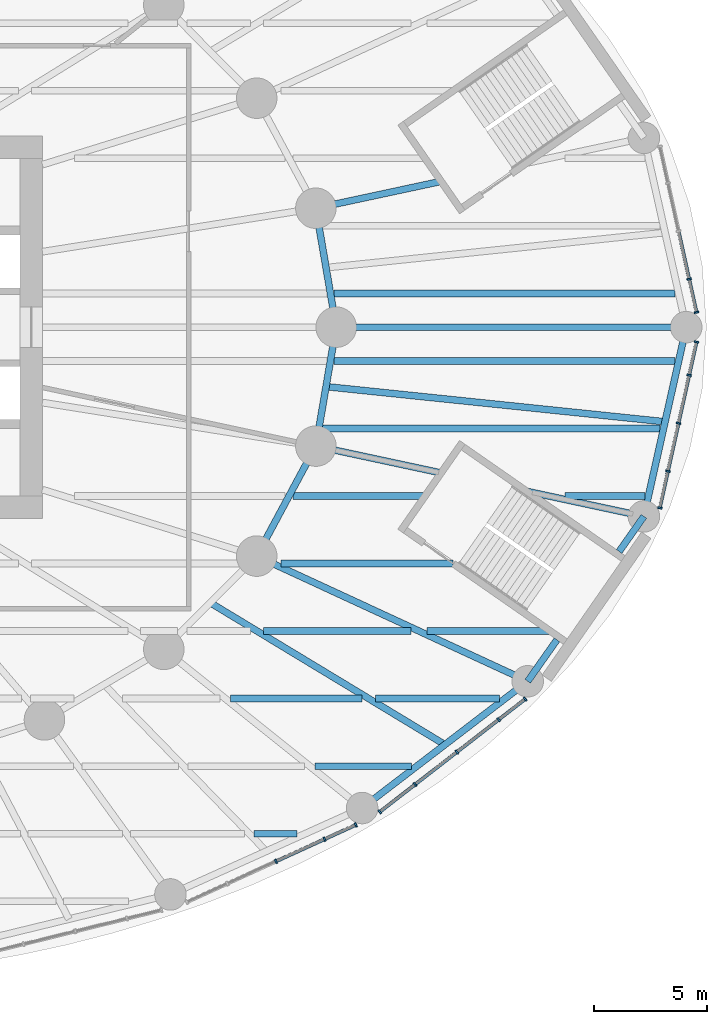
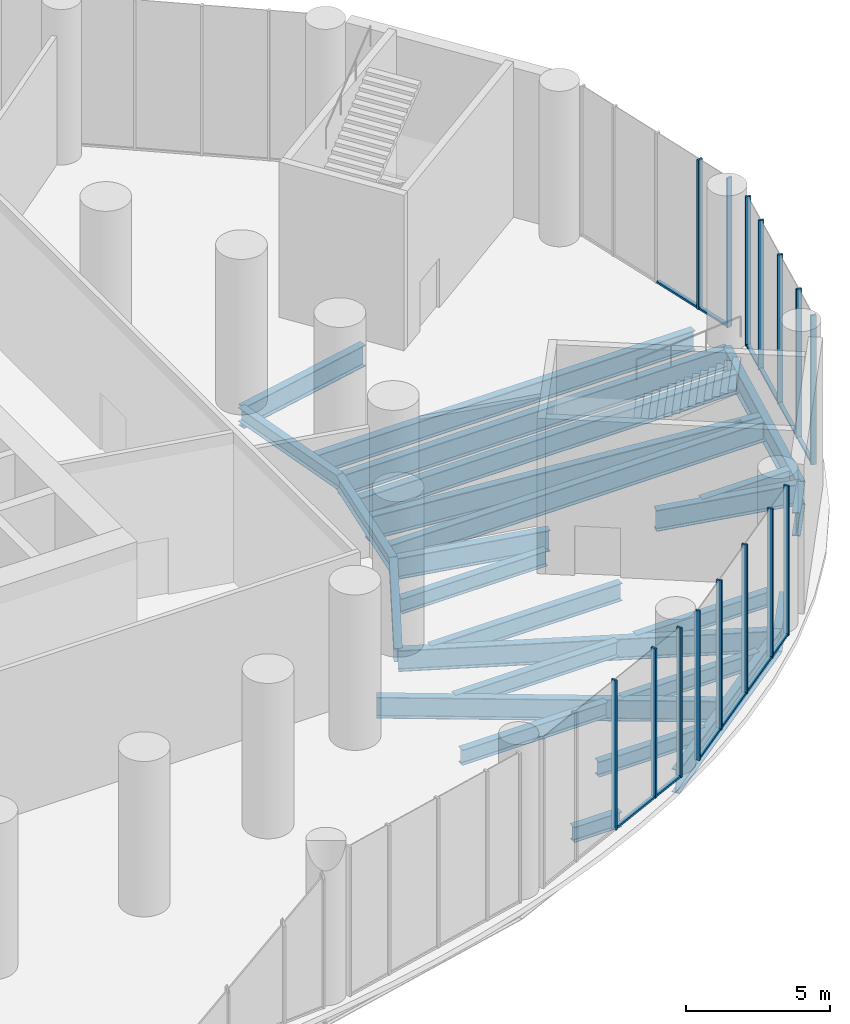
# One storey, part 11 of 22: 27 members, 26 beams, 4 elements without a shape of their own.
"""IFC4 building model written with IfcOpenShell, lengths in metres."""

from ifc_helpers import new_model, si_unit, direction, frame, origin, origin_2d, place, context, subcontext, project, spatial, rectangle, i_section, extrude, material, material_profile, profile_set, type_object, element, aggregate, save


model = new_model("IFC4")

# Units and contexts
model_context = context("Model", 3, precision=1e-05, world=origin(), true_north=direction((0.0, 1.0)))
body_context = subcontext(model_context, "Body", "Model", "MODEL_VIEW")
ifc_project = project(units=[si_unit("LENGTHUNIT", "METRE"), si_unit("AREAUNIT", "SQUARE_METRE"), si_unit("VOLUMEUNIT", "CUBIC_METRE"), si_unit("PLANEANGLEUNIT", "RADIAN"), si_unit("MASSUNIT", "GRAM", prefix="KILO")], contexts=[model_context])

# Site, building, storey
site_placement = place(None, origin())
site = spatial("IfcSite", under=ifc_project, at=site_placement, CompositionType="ELEMENT")
building_placement = place(site_placement, origin())
building = spatial("IfcBuilding", under=site, at=building_placement, Name="Hankou Lantern Tower", CompositionType="ELEMENT")
storey_placement = place(building_placement, frame((0.0, 0.0, 7.199951171875)))
storey = spatial("IfcBuildingStorey", under=building, at=storey_placement, Name="L01", CompositionType="ELEMENT", Elevation=7.199951171875)

# Beams
ifc_material_1 = material(Name="Steel Q355B", Category="steel")
ifc_material_profile_1 = material_profile(ifc_material_1, i_section(OverallWidth=0.300048828125, OverallDepth=0.587890625, WebThickness=0.011962890625, FlangeThickness=0.02001953125, FilletRadius=0.01806640625, at=origin_2d()), Name="HM588x300x12x20")
ifc_profile_set_1 = profile_set([ifc_material_profile_1], Name="Steel Q355B")
beam_type_1 = type_object("IfcBeamType", Name="EB16 RING BEAM HM588x300x12x20", PredefinedType="SPANDREL", material=ifc_profile_set_1)
beam_1_placement = place(storey_placement, frame((25.550048828125, 0.0, -0.5439453125), z_axis=(-0.168489691988, 0.985703415685, 0.0), x_axis=(-0.985703415685, -0.168489691988, 0.0)))
element("IfcBeam", 1, at=beam_1_placement, inside=storey, type_object=beam_type_1, Name="Ring beam R01-R02 L01", PredefinedType="SPANDREL", context=body_context, shape_type="SweptSolid", body=[
    extrude(i_section(OverallWidth=0.300048828125, OverallDepth=0.587890625, WebThickness=0.011962890625, FlangeThickness=0.02001953125, FilletRadius=0.01806640625, at=origin_2d()), origin(), (0.0, 0.0, 1.0), 5.35986328125),
])
beam_2_placement = place(storey_placement, frame((22.01904296875, -10.170166015625, -0.5439453125), z_axis=(0.473609096023, 0.880735161194, 0.0), x_axis=(-0.880735161194, 0.473609096023, 0.0)))
element("IfcBeam", 2, at=beam_2_placement, inside=storey, type_object=beam_type_1, Name="Ring beam R23-R24 L01", PredefinedType="SPANDREL", context=body_context, shape_type="SweptSolid", body=[
    extrude(i_section(OverallWidth=0.300048828125, OverallDepth=0.587890625, WebThickness=0.011962890625, FlangeThickness=0.02001953125, FilletRadius=0.01806640625, at=origin_2d()), origin(), (0.0, 0.0, 1.0), 5.548828125),
])
beam_3_placement = place(storey_placement, frame((24.64697265625, -5.283203125, -0.5439453125), z_axis=(0.168489691988, 0.985703415685, 0.0), x_axis=(-0.985703415685, 0.168489691988, 0.0)))
element("IfcBeam", 3, at=beam_3_placement, inside=storey, type_object=beam_type_1, Name="Ring beam R24-R01 L01", PredefinedType="SPANDREL", context=body_context, shape_type="SweptSolid", body=[
    extrude(i_section(OverallWidth=0.300048828125, OverallDepth=0.587890625, WebThickness=0.011962890625, FlangeThickness=0.02001953125, FilletRadius=0.01806640625, at=origin_2d()), origin(), (0.0, 0.0, 1.0), 5.35986328125),
])

# Curtain wall, members
ifc_material_2 = material(Name="Glass, dark grey tinted laminated", Category="glass")
curtain_wall_type = type_object("IfcCurtainWallType", Name="CWP PODIUM CURTAIN WALL", PredefinedType="USERDEFINED", material=ifc_material_2)
curtain_wall_1_placement = place(storey_placement, origin())
curtain_wall_1 = element("IfcCurtainWall", 4, at=curtain_wall_1_placement, inside=storey, type_object=curtain_wall_type, Name="CWP L01 PC17", ObjectType="PODIUM GLAZING", PredefinedType="USERDEFINED")
ifc_material_3 = material(Name="Aluminium, black anodised", Category="aluminium")
ifc_material_profile_2 = material_profile(ifc_material_3, rectangle(XDim=0.080078125, YDim=0.199951171875, at=origin_2d()), Name="MU2 80X200")
ifc_profile_set_2 = profile_set([ifc_material_profile_2], Name="Aluminium, black anodised")
member_type_1 = type_object("IfcMemberType", Name="MU2 PODIUM MULLION 80X200", PredefinedType="MULLION", material=ifc_profile_set_2)
member_1_placement = place(storey_placement, frame((22.873046875, -23.730224609375, 0.0), z_axis=(0.0, 0.0, 1.0), x_axis=(0.909669790944, 0.41533224224, 0.0)))
member_1 = element("IfcMember", 5, at=member_1_placement, type_object=member_type_1, Name="CWP mullion 3", PredefinedType="MULLION", context=body_context, shape_type="SweptSolid", body=[
    extrude(rectangle(XDim=0.080078125, YDim=0.199951171875, at=origin_2d()), origin(), (0.0, 0.0, 1.0), 6.35009765625),
])
member_2_placement = place(storey_placement, frame((25.034423828125, -22.743408203125, 0.0), z_axis=(0.0, 0.0, 1.0), x_axis=(0.909669790944, 0.41533224224, 0.0)))
member_2 = element("IfcMember", 6, at=member_2_placement, type_object=member_type_1, Name="CWP mullion 4", PredefinedType="MULLION", context=body_context, shape_type="SweptSolid", body=[
    extrude(rectangle(XDim=0.080078125, YDim=0.199951171875, at=origin_2d()), origin(), (0.0, 0.0, 1.0), 6.35009765625),
])
member_3_placement = place(storey_placement, frame((26.421630859375, -22.10986328125, 0.0), z_axis=(0.0, 0.0, 1.0), x_axis=(0.909669790944, 0.41533224224, 0.0)))
member_3 = element("IfcMember", 7, at=member_3_placement, type_object=member_type_1, Name="CWP mullion 5", PredefinedType="MULLION", context=body_context, shape_type="SweptSolid", body=[
    extrude(rectangle(XDim=0.080078125, YDim=0.199951171875, at=origin_2d()), origin(), (0.0, 0.0, 1.0), 6.35009765625),
])

curtain_wall_2_placement = place(storey_placement, origin())
curtain_wall_2 = element("IfcCurtainWall", 8, at=curtain_wall_2_placement, inside=storey, type_object=curtain_wall_type, Name="CWP L01 PC18", ObjectType="PODIUM GLAZING", PredefinedType="USERDEFINED")
member_4_placement = place(storey_placement, frame((27.487060546875, -21.530517578125, 0.0), z_axis=(0.0, 0.0, 1.0), x_axis=(0.790129760642, 0.612939606608, 0.0)))
member_4 = element("IfcMember", 9, at=member_4_placement, type_object=member_type_1, Name="CWP mullion 1", PredefinedType="MULLION", context=body_context, shape_type="SweptSolid", body=[
    extrude(rectangle(XDim=0.080078125, YDim=0.199951171875, at=origin_2d()), origin(), (0.0, 0.0, 1.0), 6.35009765625),
])
member_5_placement = place(storey_placement, frame((29.05322265625, -20.315673828125, 0.0), z_axis=(0.0, 0.0, 1.0), x_axis=(0.790129760642, 0.612939606608, 0.0)))
member_5 = element("IfcMember", 10, at=member_5_placement, type_object=member_type_1, Name="CWP mullion 2", PredefinedType="MULLION", context=body_context, shape_type="SweptSolid", body=[
    extrude(rectangle(XDim=0.080078125, YDim=0.199951171875, at=origin_2d()), origin(), (0.0, 0.0, 1.0), 6.35009765625),
])
member_6_placement = place(storey_placement, frame((30.91064453125, -18.874755859375, 0.0), z_axis=(0.0, 0.0, 1.0), x_axis=(0.790129760642, 0.612939606608, 0.0)))
member_6 = element("IfcMember", 11, at=member_6_placement, type_object=member_type_1, Name="CWP mullion 3", PredefinedType="MULLION", context=body_context, shape_type="SweptSolid", body=[
    extrude(rectangle(XDim=0.080078125, YDim=0.199951171875, at=origin_2d()), origin(), (0.0, 0.0, 1.0), 6.35009765625),
])
member_7_placement = place(storey_placement, frame((32.76806640625, -17.433837890625, 0.0), z_axis=(0.0, 0.0, 1.0), x_axis=(0.790129760642, 0.612939606608, 0.0)))
member_7 = element("IfcMember", 12, at=member_7_placement, type_object=member_type_1, Name="CWP mullion 4", PredefinedType="MULLION", context=body_context, shape_type="SweptSolid", body=[
    extrude(rectangle(XDim=0.080078125, YDim=0.199951171875, at=origin_2d()), origin(), (0.0, 0.0, 1.0), 6.35009765625),
])
member_8_placement = place(storey_placement, frame((33.945068359375, -16.520751953125, 0.0), z_axis=(0.0, 0.0, 1.0), x_axis=(0.790129760642, 0.612939606608, 0.0)))
member_8 = element("IfcMember", 13, at=member_8_placement, type_object=member_type_1, Name="CWP mullion 5", PredefinedType="MULLION", context=body_context, shape_type="SweptSolid", body=[
    extrude(rectangle(XDim=0.080078125, YDim=0.199951171875, at=origin_2d()), origin(), (0.0, 0.0, 1.0), 6.35009765625),
])

curtain_wall_3_placement = place(storey_placement, origin())
curtain_wall_3 = element("IfcCurtainWall", 14, at=curtain_wall_3_placement, inside=storey, type_object=curtain_wall_type, Name="CWP L01 PC19", ObjectType="PODIUM GLAZING", PredefinedType="USERDEFINED")
member_9_placement = place(storey_placement, frame((39.925537109375, -8.028564453125, 0.0), z_axis=(0.0, 0.0, 1.0), x_axis=(0.215821488116, 0.976432837049, 0.0)))
member_9 = element("IfcMember", 15, at=member_9_placement, type_object=member_type_1, Name="CWP mullion 1", PredefinedType="MULLION", context=body_context, shape_type="SweptSolid", body=[
    extrude(rectangle(XDim=0.080078125, YDim=0.199951171875, at=origin_2d()), origin(), (0.0, 0.0, 1.0), 6.35009765625),
])
member_10_placement = place(storey_placement, frame((40.28515625, -6.40087890625, 0.0), z_axis=(0.0, 0.0, 1.0), x_axis=(0.215821488116, 0.976432837049, 0.0)))
member_10 = element("IfcMember", 16, at=member_10_placement, type_object=member_type_1, Name="CWP mullion 2", PredefinedType="MULLION", context=body_context, shape_type="SweptSolid", body=[
    extrude(rectangle(XDim=0.080078125, YDim=0.199951171875, at=origin_2d()), origin(), (0.0, 0.0, 1.0), 6.35009765625),
])
member_11_placement = place(storey_placement, frame((40.7568359375, -4.267333984375, 0.0), z_axis=(0.0, 0.0, 1.0), x_axis=(0.215821488116, 0.976432837049, 0.0)))
member_11 = element("IfcMember", 17, at=member_11_placement, type_object=member_type_1, Name="CWP mullion 3", PredefinedType="MULLION", context=body_context, shape_type="SweptSolid", body=[
    extrude(rectangle(XDim=0.080078125, YDim=0.199951171875, at=origin_2d()), origin(), (0.0, 0.0, 1.0), 6.35009765625),
])
member_12_placement = place(storey_placement, frame((41.228515625, -2.133544921875, 0.0), z_axis=(0.0, 0.0, 1.0), x_axis=(0.215821488116, 0.976432837049, 0.0)))
member_12 = element("IfcMember", 18, at=member_12_placement, type_object=member_type_1, Name="CWP mullion 4", PredefinedType="MULLION", context=body_context, shape_type="SweptSolid", body=[
    extrude(rectangle(XDim=0.080078125, YDim=0.199951171875, at=origin_2d()), origin(), (0.0, 0.0, 1.0), 6.35009765625),
])
member_13_placement = place(storey_placement, frame((41.55419921875, -0.659423828125, 0.0), z_axis=(0.0, 0.0, 1.0), x_axis=(0.215821488116, 0.976432837049, 0.0)))
member_13 = element("IfcMember", 19, at=member_13_placement, type_object=member_type_1, Name="CWP mullion 5", PredefinedType="MULLION", context=body_context, shape_type="SweptSolid", body=[
    extrude(rectangle(XDim=0.080078125, YDim=0.199951171875, at=origin_2d()), origin(), (0.0, 0.0, 1.0), 6.35009765625),
])

curtain_wall_4_placement = place(storey_placement, origin())
curtain_wall_4 = element("IfcCurtainWall", 20, at=curtain_wall_4_placement, inside=storey, type_object=curtain_wall_type, Name="CWP L01 PC20", ObjectType="PODIUM GLAZING", PredefinedType="USERDEFINED")
member_14_placement = place(storey_placement, frame((41.55419921875, 0.659423828125, 0.0), z_axis=(0.0, 0.0, 1.0), x_axis=(-0.215821488116, 0.976432837049, 0.0)))
member_14 = element("IfcMember", 21, at=member_14_placement, type_object=member_type_1, Name="CWP mullion 1", PredefinedType="MULLION", context=body_context, shape_type="SweptSolid", body=[
    extrude(rectangle(XDim=0.080078125, YDim=0.199951171875, at=origin_2d()), origin(), (0.0, 0.0, 1.0), 6.35009765625),
])
member_15_placement = place(storey_placement, frame((41.228515625, 2.133544921875, 0.0), z_axis=(0.0, 0.0, 1.0), x_axis=(-0.215821488116, 0.976432837049, 0.0)))
member_15 = element("IfcMember", 22, at=member_15_placement, type_object=member_type_1, Name="CWP mullion 2", PredefinedType="MULLION", context=body_context, shape_type="SweptSolid", body=[
    extrude(rectangle(XDim=0.080078125, YDim=0.199951171875, at=origin_2d()), origin(), (0.0, 0.0, 1.0), 6.35009765625),
])

# Beams
ifc_material_4 = material(Name="Steel Q355B", Category="steel")
ifc_material_profile_3 = material_profile(ifc_material_4, i_section(OverallWidth=0.300048828125, OverallDepth=0.89990234375, WebThickness=0.01611328125, FlangeThickness=0.028076171875, FilletRadius=0.01806640625, at=origin_2d()), Name="HN900x300x16x28")
ifc_profile_set_3 = profile_set([ifc_material_profile_3], Name="Steel Q355B")
beam_type_2 = type_object("IfcBeamType", Name="PB13 PODIUM RADIAL BEAM HN900x300x16x28", PredefinedType="BEAM", material=ifc_profile_set_3)
beam_4_placement = place(storey_placement, frame((25.550048828125, 0.0, -0.699951171875), z_axis=(1.0, 0.0, 0.0), x_axis=(0.0, 1.0, 0.0)))
element("IfcBeam", 23, at=beam_4_placement, inside=storey, type_object=beam_type_2, Name="Podium radial beam R01 L01", PredefinedType="BEAM", context=body_context, shape_type="SweptSolid", body=[
    extrude(i_section(OverallWidth=0.300048828125, OverallDepth=0.89990234375, WebThickness=0.01611328125, FlangeThickness=0.028076171875, FilletRadius=0.01806640625, at=origin_2d()), origin(), (0.0, 0.0, 1.0), 15.550048828125),
])
beam_5_placement = place(storey_placement, frame((24.64697265625, 5.283203125, -0.699951171875), z_axis=(0.977787338777, 0.209599427782, 0.0), x_axis=(-0.209599427782, 0.977787338777, 0.0)))
element("IfcBeam", 24, at=beam_5_placement, inside=storey, type_object=beam_type_2, Name="Podium radial beam R02 L01 inner part", PredefinedType="BEAM", context=body_context, shape_type="SweptSolid", body=[
    extrude(i_section(OverallWidth=0.300048828125, OverallDepth=0.89990234375, WebThickness=0.01611328125, FlangeThickness=0.028076171875, FilletRadius=0.01806640625, at=origin_2d()), origin(), (0.0, 0.0, 1.0), 5.68896484375),
])
beam_6_placement = place(storey_placement, frame((22.01904296875, -10.170166015625, -0.699951171875), z_axis=(0.907840792808, -0.419315030633, 0.0), x_axis=(0.419315030633, 0.907840792808, 0.0)))
element("IfcBeam", 25, at=beam_6_placement, inside=storey, type_object=beam_type_2, Name="Podium radial beam R23 L01", PredefinedType="BEAM", context=body_context, shape_type="SweptSolid", body=[
    extrude(i_section(OverallWidth=0.300048828125, OverallDepth=0.89990234375, WebThickness=0.01611328125, FlangeThickness=0.028076171875, FilletRadius=0.01806640625, at=origin_2d()), origin(), (0.0, 0.0, 1.0), 13.259765625),
])
beam_7_placement = place(storey_placement, frame((24.64697265625, -5.283203125, -0.699951171875), z_axis=(0.977787338777, -0.209599427782, 0.0), x_axis=(0.209599427782, 0.977787338777, 0.0)))
element("IfcBeam", 26, at=beam_7_placement, inside=storey, type_object=beam_type_2, Name="Podium radial beam R24 L01 inner part", PredefinedType="BEAM", context=body_context, shape_type="SweptSolid", body=[
    extrude(i_section(OverallWidth=0.300048828125, OverallDepth=0.89990234375, WebThickness=0.01611328125, FlangeThickness=0.028076171875, FilletRadius=0.01806640625, at=origin_2d()), origin(), (0.0, 0.0, 1.0), 5.68896484375),
])
beam_8_placement = place(storey_placement, frame((34.01025390625, -7.29052734375, -0.699951171875), z_axis=(0.977788323488, -0.209594834028, 0.0), x_axis=(0.209594834028, 0.977788323488, 0.0)))
element("IfcBeam", 27, at=beam_8_placement, inside=storey, type_object=beam_type_2, Name="Podium radial beam R24 L01 outer part", PredefinedType="BEAM", context=body_context, shape_type="SweptSolid", body=[
    extrude(i_section(OverallWidth=0.300048828125, OverallDepth=0.89990234375, WebThickness=0.01611328125, FlangeThickness=0.028076171875, FilletRadius=0.01806640625, at=origin_2d()), origin(), (0.0, 0.0, 1.0), 5.32568359375),
])
ifc_material_5 = material(Name="Steel Q355B", Category="steel")
ifc_material_profile_4 = material_profile(ifc_material_5, i_section(OverallWidth=0.300048828125, OverallDepth=1.0, WebThickness=0.01904296875, FlangeThickness=0.035888671875, FilletRadius=0.01806640625, at=origin_2d()), Name="HN1000x300x19x36")
ifc_profile_set_4 = profile_set([ifc_material_profile_4], Name="Steel Q355B")
beam_type_3 = type_object("IfcBeamType", Name="PR22 PODIUM RING BEAM HN1000x300x19x36", PredefinedType="BEAM", material=ifc_profile_set_4)
beam_9_placement = place(storey_placement, frame((26.7021484375, -21.361572265625, -0.75), z_axis=(0.793985875103, 0.607936205647, 0.0), x_axis=(-0.607936205647, 0.793985875103, 0.0)))
element("IfcBeam", 28, at=beam_9_placement, inside=storey, type_object=beam_type_3, Name="Podium ring beam R22-R23 L01", PredefinedType="BEAM", context=body_context, shape_type="SweptSolid", body=[
    extrude(i_section(OverallWidth=0.300048828125, OverallDepth=1.0, WebThickness=0.01904296875, FlangeThickness=0.035888671875, FilletRadius=0.01806640625, at=origin_2d()), origin(), (0.0, 0.0, 1.0), 9.262939453125),
])
beam_10_placement = place(storey_placement, frame((34.056884765625, -15.730224609375, -0.75), z_axis=(0.576006222853, 0.817445307794, 0.0), x_axis=(-0.817445307794, 0.576006222853, 0.0)))
element("IfcBeam", 29, at=beam_10_placement, inside=storey, type_object=beam_type_3, Name="Podium ring beam R23-R24 L01 west part", PredefinedType="BEAM", context=body_context, shape_type="SweptSolid", body=[
    extrude(i_section(OverallWidth=0.300048828125, OverallDepth=1.0, WebThickness=0.01904296875, FlangeThickness=0.035888671875, FilletRadius=0.01806640625, at=origin_2d()), origin(), (0.0, 0.0, 1.0), 2.251953125),
])
beam_11_placement = place(storey_placement, frame((38.118896484375, -9.9658203125, -0.75), z_axis=(0.576019631526, 0.817435859317, 0.0), x_axis=(-0.817435859317, 0.576019631526, 0.0)))
element("IfcBeam", 30, at=beam_11_placement, inside=storey, type_object=beam_type_3, Name="Podium ring beam R23-R24 L01 east part", PredefinedType="BEAM", context=body_context, shape_type="SweptSolid", body=[
    extrude(i_section(OverallWidth=0.300048828125, OverallDepth=1.0, WebThickness=0.01904296875, FlangeThickness=0.035888671875, FilletRadius=0.01806640625, at=origin_2d()), origin(), (0.0, 0.0, 1.0), 1.9072265625),
])
beam_12_placement = place(storey_placement, frame((39.217529296875, -8.40673828125, -0.75), z_axis=(0.218523498172, 0.975831686689, 0.0), x_axis=(-0.975831686689, 0.218523498172, 0.0)))
element("IfcBeam", 31, at=beam_12_placement, inside=storey, type_object=beam_type_3, Name="Podium ring beam R24-R01 L01", PredefinedType="BEAM", context=body_context, shape_type="SweptSolid", body=[
    extrude(i_section(OverallWidth=0.300048828125, OverallDepth=1.0, WebThickness=0.01904296875, FlangeThickness=0.035888671875, FilletRadius=0.01806640625, at=origin_2d()), origin(), (0.0, 0.0, 1.0), 8.614990234375),
])
ifc_material_6 = material(Name="Steel Q355B", Category="steel")
ifc_material_profile_5 = material_profile(ifc_material_6, i_section(OverallWidth=0.300048828125, OverallDepth=0.89990234375, WebThickness=0.01611328125, FlangeThickness=0.028076171875, FilletRadius=0.01806640625, at=origin_2d()), Name="HN900x300x16x28")
ifc_profile_set_5 = profile_set([ifc_material_profile_5], Name="Steel Q355B")
beam_type_4 = type_object("IfcBeamType", Name="PS13 PODIUM SECONDARY BEAM HN900x300x16x28", PredefinedType="JOIST", material=ifc_profile_set_5)
beam_13_placement = place(storey_placement, frame((19.955322265625, -12.24169921875, -0.699951171875), z_axis=(0.855685755165, -0.517495785884, 0.0), x_axis=(0.517495785884, 0.855685755165, 0.0)))
element("IfcBeam", 32, at=beam_13_placement, inside=storey, type_object=beam_type_4, Name="Podium secondary beam bay R22 L01", PredefinedType="JOIST", context=body_context, shape_type="SweptSolid", body=[
    extrude(i_section(OverallWidth=0.300048828125, OverallDepth=0.89990234375, WebThickness=0.01611328125, FlangeThickness=0.028076171875, FilletRadius=0.01806640625, at=origin_2d()), origin(), (0.0, 0.0, 1.0), 12.18212890625),
])
ifc_material_7 = material(Name="Steel Q355B", Category="steel")
ifc_material_profile_6 = material_profile(ifc_material_7, i_section(OverallWidth=0.300048828125, OverallDepth=1.0, WebThickness=0.01904296875, FlangeThickness=0.035888671875, FilletRadius=0.01806640625, at=origin_2d()), Name="HN1000x300x19x36")
ifc_profile_set_6 = profile_set([ifc_material_profile_6], Name="Steel Q355B")
beam_type_5 = type_object("IfcBeamType", Name="PS22 PODIUM SECONDARY BEAM HN1000x300x19x36", PredefinedType="JOIST", material=ifc_profile_set_6)
beam_14_placement = place(storey_placement, frame((25.098388671875, -2.6416015625, -0.75), z_axis=(0.994666039581, -0.103147805132, 0.0), x_axis=(0.103147805132, 0.994666039581, 0.0)))
element("IfcBeam", 33, at=beam_14_placement, inside=storey, type_object=beam_type_5, Name="Podium secondary beam bay R24 L01", PredefinedType="JOIST", context=body_context, shape_type="SweptSolid", body=[
    extrude(i_section(OverallWidth=0.300048828125, OverallDepth=1.0, WebThickness=0.01904296875, FlangeThickness=0.035888671875, FilletRadius=0.01806640625, at=origin_2d()), origin(), (0.0, 0.0, 1.0), 15.14111328125),
])
ifc_material_8 = material(Name="Steel Q355B", Category="steel")
ifc_material_profile_7 = material_profile(ifc_material_8, i_section(OverallWidth=0.300048828125, OverallDepth=0.75, WebThickness=0.012939453125, FlangeThickness=0.02392578125, FilletRadius=0.01806640625, at=origin_2d()), Name="HN750x300x13x24")
ifc_profile_set_7 = profile_set([ifc_material_profile_7], Name="Steel Q355B")
beam_type_6 = type_object("IfcBeamType", Name="SB10 SECONDARY BEAM HN750x300x13x24", PredefinedType="JOIST", material=ifc_profile_set_7)
beam_15_placement = place(storey_placement, frame((23.0908203125, -10.5, -0.625), z_axis=(1.0, 0.0, 0.0), x_axis=(0.0, 1.0, 0.0)))
element("IfcBeam", 34, at=beam_15_placement, inside=storey, type_object=beam_type_6, Name="Floor joist J068 L01", PredefinedType="JOIST", context=body_context, shape_type="SweptSolid", body=[
    extrude(i_section(OverallWidth=0.300048828125, OverallDepth=0.75, WebThickness=0.012939453125, FlangeThickness=0.02392578125, FilletRadius=0.01806640625, at=origin_2d()), origin(), (0.0, 0.0, 1.0), 7.653076171875),
])
ifc_material_9 = material(Name="Steel Q355B", Category="steel")
ifc_material_profile_8 = material_profile(ifc_material_9, i_section(OverallWidth=0.300048828125, OverallDepth=0.85009765625, WebThickness=0.01611328125, FlangeThickness=0.027099609375, FilletRadius=0.01806640625, at=origin_2d()), Name="HN850x300x16x27")
ifc_profile_set_8 = profile_set([ifc_material_profile_8], Name="Steel Q355B")
beam_type_7 = type_object("IfcBeamType", Name="SB12 SECONDARY BEAM HN850x300x16x27", PredefinedType="JOIST", material=ifc_profile_set_8)
beam_16_placement = place(storey_placement, frame((24.93310546875, -4.5, -0.675048828125), z_axis=(1.0, 0.0, 0.0), x_axis=(0.0, 1.0, 0.0)))
element("IfcBeam", 35, at=beam_16_placement, inside=storey, type_object=beam_type_7, Name="Floor joist J080 L01", PredefinedType="JOIST", context=body_context, shape_type="SweptSolid", body=[
    extrude(i_section(OverallWidth=0.300048828125, OverallDepth=0.85009765625, WebThickness=0.01611328125, FlangeThickness=0.027099609375, FilletRadius=0.01806640625, at=origin_2d()), origin(), (0.0, 0.0, 1.0), 15.005615234375),
])
for number, where, z_axis, x_axis, name in (
    (36, (25.44580078125, -1.5, -0.675048828125), (1.0, 0.0, 0.0), (0.0, 1.0, 0.0), "Floor joist J084 L01"),
    (37, (25.44580078125, 1.5, -0.675048828125), (1.0, 0.0, 0.0), (0.0, 1.0, 0.0), "Floor joist J088 L01"),
):
    element("IfcBeam", number, at=place(storey_placement, frame(where, z_axis=z_axis, x_axis=x_axis)), inside=storey, type_object=beam_type_7, Name=name, PredefinedType="JOIST", context=body_context, shape_type="SweptSolid", body=[
        extrude(i_section(OverallWidth=0.300048828125, OverallDepth=0.85009765625, WebThickness=0.01611328125, FlangeThickness=0.027099609375, FilletRadius=0.01806640625, at=origin_2d()), origin(), (0.0, 0.0, 1.0), 15.16455078125),
    ])
ifc_material_10 = material(Name="Steel Q355B", Category="steel")
ifc_material_profile_9 = material_profile(ifc_material_10, i_section(OverallWidth=0.300048828125, OverallDepth=0.64990234375, WebThickness=0.010986328125, FlangeThickness=0.01708984375, FilletRadius=0.01806640625, at=origin_2d()), Name="HN650x300x11x17")
ifc_profile_set_9 = profile_set([ifc_material_profile_9], Name="Steel Q355B")
beam_type_8 = type_object("IfcBeamType", Name="SB8 SECONDARY BEAM HN650x300x11x17", PredefinedType="JOIST", material=ifc_profile_set_9)
beam_17_placement = place(storey_placement, frame((21.893798828125, -22.5, -0.574951171875), z_axis=(1.0, 0.0, 0.0), x_axis=(0.0, 1.0, 0.0)))
element("IfcBeam", 38, at=beam_17_placement, inside=storey, type_object=beam_type_8, Name="Floor joist J020 L01", PredefinedType="JOIST", context=body_context, shape_type="SweptSolid", body=[
    extrude(i_section(OverallWidth=0.300048828125, OverallDepth=0.64990234375, WebThickness=0.010986328125, FlangeThickness=0.01708984375, FilletRadius=0.01806640625, at=origin_2d()), origin(), (0.0, 0.0, 1.0), 1.917236328125),
])
beam_18_placement = place(storey_placement, frame((24.615234375, -19.5, -0.574951171875), z_axis=(1.0, 0.0, 0.0), x_axis=(0.0, 1.0, 0.0)))
element("IfcBeam", 39, at=beam_18_placement, inside=storey, type_object=beam_type_8, Name="Floor joist J032 L01", PredefinedType="JOIST", context=body_context, shape_type="SweptSolid", body=[
    extrude(i_section(OverallWidth=0.300048828125, OverallDepth=0.64990234375, WebThickness=0.010986328125, FlangeThickness=0.01708984375, FilletRadius=0.01806640625, at=origin_2d()), origin(), (0.0, 0.0, 1.0), 4.271484375),
])
beam_19_placement = place(storey_placement, frame((20.865234375, -16.5, -0.574951171875), z_axis=(1.0, 0.0, 0.0), x_axis=(0.0, 1.0, 0.0)))
element("IfcBeam", 40, at=beam_19_placement, inside=storey, type_object=beam_type_8, Name="Floor joist J043 L01", PredefinedType="JOIST", context=body_context, shape_type="SweptSolid", body=[
    extrude(i_section(OverallWidth=0.300048828125, OverallDepth=0.64990234375, WebThickness=0.010986328125, FlangeThickness=0.01708984375, FilletRadius=0.01806640625, at=origin_2d()), origin(), (0.0, 0.0, 1.0), 5.84130859375),
])
beam_20_placement = place(storey_placement, frame((27.286376953125, -16.5, -0.574951171875), z_axis=(1.0, 0.0, 0.0), x_axis=(0.0, 1.0, 0.0)))
element("IfcBeam", 41, at=beam_20_placement, inside=storey, type_object=beam_type_8, Name="Floor joist J044 L01", PredefinedType="JOIST", context=body_context, shape_type="SweptSolid", body=[
    extrude(i_section(OverallWidth=0.300048828125, OverallDepth=0.64990234375, WebThickness=0.010986328125, FlangeThickness=0.01708984375, FilletRadius=0.01806640625, at=origin_2d()), origin(), (0.0, 0.0, 1.0), 5.518310546875),
])
beam_21_placement = place(storey_placement, frame((22.32568359375, -13.5, -0.574951171875), z_axis=(1.0, 0.0, 0.0), x_axis=(0.0, 1.0, 0.0)))
element("IfcBeam", 42, at=beam_21_placement, inside=storey, type_object=beam_type_8, Name="Floor joist J057 L01", PredefinedType="JOIST", context=body_context, shape_type="SweptSolid", body=[
    extrude(i_section(OverallWidth=0.300048828125, OverallDepth=0.64990234375, WebThickness=0.010986328125, FlangeThickness=0.01708984375, FilletRadius=0.01806640625, at=origin_2d()), origin(), (0.0, 0.0, 1.0), 6.544921875),
])
beam_22_placement = place(storey_placement, frame((29.586181640625, -13.5, -0.574951171875), z_axis=(1.0, 0.0, 0.0), x_axis=(0.0, 1.0, 0.0)))
element("IfcBeam", 43, at=beam_22_placement, inside=storey, type_object=beam_type_8, Name="Floor joist J058 L01", PredefinedType="JOIST", context=body_context, shape_type="SweptSolid", body=[
    extrude(i_section(OverallWidth=0.300048828125, OverallDepth=0.64990234375, WebThickness=0.010986328125, FlangeThickness=0.01708984375, FilletRadius=0.01806640625, at=origin_2d()), origin(), (0.0, 0.0, 1.0), 5.470703125),
])
beam_23_placement = place(storey_placement, frame((23.625244140625, -7.5, -0.574951171875), z_axis=(1.0, 0.0, 0.0), x_axis=(0.0, 1.0, 0.0)))
element("IfcBeam", 44, at=beam_23_placement, inside=storey, type_object=beam_type_8, Name="Floor joist J073 L01", PredefinedType="JOIST", context=body_context, shape_type="SweptSolid", body=[
    extrude(i_section(OverallWidth=0.300048828125, OverallDepth=0.64990234375, WebThickness=0.010986328125, FlangeThickness=0.01708984375, FilletRadius=0.01806640625, at=origin_2d()), origin(), (0.0, 0.0, 1.0), 5.87158203125),
])
beam_24_placement = place(storey_placement, frame((35.70361328125, -7.5, -0.574951171875), z_axis=(1.0, 0.0, 0.0), x_axis=(0.0, 1.0, 0.0)))
element("IfcBeam", 45, at=beam_24_placement, inside=storey, type_object=beam_type_8, Name="Floor joist J074 L01", PredefinedType="JOIST", context=body_context, shape_type="SweptSolid", body=[
    extrude(i_section(OverallWidth=0.300048828125, OverallDepth=0.64990234375, WebThickness=0.010986328125, FlangeThickness=0.01708984375, FilletRadius=0.01806640625, at=origin_2d()), origin(), (0.0, 0.0, 1.0), 3.563232421875),
])

# Member
ifc_material_11 = material(Name="Aluminium, black anodised", Category="aluminium")
ifc_material_profile_10 = material_profile(ifc_material_11, rectangle(XDim=0.14990234375, YDim=0.080078125, at=origin_2d()), Name="TR2 150X80")
ifc_profile_set_10 = profile_set([ifc_material_profile_10], Name="Aluminium, black anodised")
member_type_2 = type_object("IfcMemberType", Name="TR2 PODIUM TRANSOM 150X80", PredefinedType="USERDEFINED", material=ifc_profile_set_10)
member_16_placement = place(storey_placement, frame((22.909423828125, -23.713623046875, 0.0400390625), z_axis=(0.909669664149, 0.415332519949, 0.0), x_axis=(-0.415332519949, 0.909669664149, 0.0)))
member_16 = element("IfcMember", 46, at=member_16_placement, type_object=member_type_2, Name="CWP transom 3", ObjectType="TRANSOM", PredefinedType="USERDEFINED", context=body_context, shape_type="SweptSolid", body=[
    extrude(rectangle(XDim=0.14990234375, YDim=0.080078125, at=origin_2d()), origin(), (0.0, 0.0, 1.0), 2.296142578125),
])

member_17_placement = place(storey_placement, frame((25.07080078125, -22.726806640625, 0.0400390625), z_axis=(0.909682453266, 0.415304507825, 0.0), x_axis=(-0.415304507825, 0.909682453266, 0.0)))
member_17 = element("IfcMember", 47, at=member_17_placement, type_object=member_type_2, Name="CWP transom 4", ObjectType="TRANSOM", PredefinedType="USERDEFINED", context=body_context, shape_type="SweptSolid", body=[
    extrude(rectangle(XDim=0.14990234375, YDim=0.080078125, at=origin_2d()), origin(), (0.0, 0.0, 1.0), 1.445068359375),
])

aggregate(curtain_wall_1, [member_1, member_2, member_3, member_16, member_17])

member_18_placement = place(storey_placement, frame((27.5185546875, -21.506103515625, 0.0400390625), z_axis=(0.790098015443, 0.612980526601, 0.0), x_axis=(-0.612980526601, 0.790098015443, 0.0)))
member_18 = element("IfcMember", 48, at=member_18_placement, type_object=member_type_2, Name="CWP transom 1", ObjectType="TRANSOM", PredefinedType="USERDEFINED", context=body_context, shape_type="SweptSolid", body=[
    extrude(rectangle(XDim=0.14990234375, YDim=0.080078125, at=origin_2d()), origin(), (0.0, 0.0, 1.0), 1.902099609375),
])

member_19_placement = place(storey_placement, frame((29.084716796875, -20.291015625, 0.0400390625), z_axis=(0.79016773701, 0.612890648802, 0.0), x_axis=(-0.612890648802, 0.79016773701, 0.0)))
member_19 = element("IfcMember", 49, at=member_19_placement, type_object=member_type_2, Name="CWP transom 2", ObjectType="TRANSOM", PredefinedType="USERDEFINED", context=body_context, shape_type="SweptSolid", body=[
    extrude(rectangle(XDim=0.14990234375, YDim=0.080078125, at=origin_2d()), origin(), (0.0, 0.0, 1.0), 2.27099609375),
])

member_20_placement = place(storey_placement, frame((30.942138671875, -18.85009765625, 0.0400390625), z_axis=(0.79016773701, 0.612890648802, 0.0), x_axis=(-0.612890648802, 0.79016773701, 0.0)))
member_20 = element("IfcMember", 50, at=member_20_placement, type_object=member_type_2, Name="CWP transom 3", ObjectType="TRANSOM", PredefinedType="USERDEFINED", context=body_context, shape_type="SweptSolid", body=[
    extrude(rectangle(XDim=0.14990234375, YDim=0.080078125, at=origin_2d()), origin(), (0.0, 0.0, 1.0), 2.27099609375),
])

member_21_placement = place(storey_placement, frame((32.7998046875, -17.4091796875, 0.0400390625), z_axis=(0.790144462034, 0.612920654829, 0.0), x_axis=(-0.612920654829, 0.790144462034, 0.0)))
member_21 = element("IfcMember", 51, at=member_21_placement, type_object=member_type_2, Name="CWP transom 4", ObjectType="TRANSOM", PredefinedType="USERDEFINED", context=body_context, shape_type="SweptSolid", body=[
    extrude(rectangle(XDim=0.14990234375, YDim=0.080078125, at=origin_2d()), origin(), (0.0, 0.0, 1.0), 1.4091796875),
])

aggregate(curtain_wall_2, [member_4, member_5, member_6, member_7, member_8, member_18, member_19, member_20, member_21])

member_22_placement = place(storey_placement, frame((39.93408203125, -7.989501953125, 0.0400390625), z_axis=(0.215838955929, 0.976428975965, 0.0), x_axis=(-0.976428975965, 0.215838955929, 0.0)))
member_22 = element("IfcMember", 52, at=member_22_placement, type_object=member_type_2, Name="CWP transom 1", ObjectType="TRANSOM", PredefinedType="USERDEFINED", context=body_context, shape_type="SweptSolid", body=[
    extrude(rectangle(XDim=0.14990234375, YDim=0.080078125, at=origin_2d()), origin(), (0.0, 0.0, 1.0), 1.5869140625),
])

member_23_placement = place(storey_placement, frame((40.2939453125, -6.36181640625, 0.0400390625), z_axis=(0.215812948044, 0.976434724627, 0.0), x_axis=(-0.976434724627, 0.215812948044, 0.0)))
member_23 = element("IfcMember", 53, at=member_23_placement, type_object=member_type_2, Name="CWP transom 2", ObjectType="TRANSOM", PredefinedType="USERDEFINED", context=body_context, shape_type="SweptSolid", body=[
    extrude(rectangle(XDim=0.14990234375, YDim=0.080078125, at=origin_2d()), origin(), (0.0, 0.0, 1.0), 2.105224609375),
])

member_24_placement = place(storey_placement, frame((40.765380859375, -4.228271484375, 0.0400390625), z_axis=(0.215812948044, 0.976434724627, 0.0), x_axis=(-0.976434724627, 0.215812948044, 0.0)))
member_24 = element("IfcMember", 54, at=member_24_placement, type_object=member_type_2, Name="CWP transom 3", ObjectType="TRANSOM", PredefinedType="USERDEFINED", context=body_context, shape_type="SweptSolid", body=[
    extrude(rectangle(XDim=0.14990234375, YDim=0.080078125, at=origin_2d()), origin(), (0.0, 0.0, 1.0), 2.105224609375),
])

member_25_placement = place(storey_placement, frame((41.237060546875, -2.094482421875, 0.0400390625), z_axis=(0.215845471344, 0.976427535714, 0.0), x_axis=(-0.976427535714, 0.215845471344, 0.0)))
member_25 = element("IfcMember", 55, at=member_25_placement, type_object=member_type_2, Name="CWP transom 4", ObjectType="TRANSOM", PredefinedType="USERDEFINED", context=body_context, shape_type="SweptSolid", body=[
    extrude(rectangle(XDim=0.14990234375, YDim=0.080078125, at=origin_2d()), origin(), (0.0, 0.0, 1.0), 1.4296875),
])

aggregate(curtain_wall_3, [member_9, member_10, member_11, member_12, member_13, member_22, member_23, member_24, member_25])

member_26_placement = place(storey_placement, frame((41.545654296875, 0.698486328125, 0.0400390625), z_axis=(-0.215845471344, 0.976427535714, 0.0), x_axis=(-0.976427535714, -0.215845471344, 0.0)))
member_26 = element("IfcMember", 56, at=member_26_placement, type_object=member_type_2, Name="CWP transom 1", ObjectType="TRANSOM", PredefinedType="USERDEFINED", context=body_context, shape_type="SweptSolid", body=[
    extrude(rectangle(XDim=0.14990234375, YDim=0.080078125, at=origin_2d()), origin(), (0.0, 0.0, 1.0), 1.4296875),
])

member_27_placement = place(storey_placement, frame((41.2197265625, 2.172607421875, 0.0400390625), z_axis=(-0.215812948044, 0.976434724627, 0.0), x_axis=(-0.976434724627, -0.215812948044, 0.0)))
member_27 = element("IfcMember", 57, at=member_27_placement, type_object=member_type_2, Name="CWP transom 2", ObjectType="TRANSOM", PredefinedType="USERDEFINED", context=body_context, shape_type="SweptSolid", body=[
    extrude(rectangle(XDim=0.14990234375, YDim=0.080078125, at=origin_2d()), origin(), (0.0, 0.0, 1.0), 2.105224609375),
])

aggregate(curtain_wall_4, [member_14, member_15, member_26, member_27])

save(model, "model.ifc")
